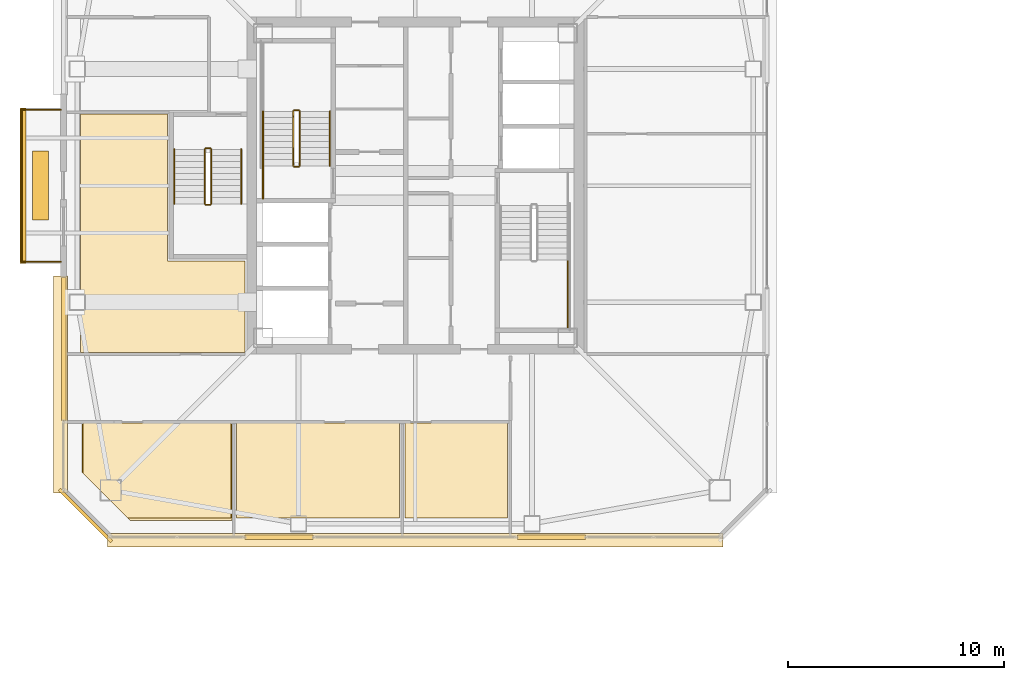
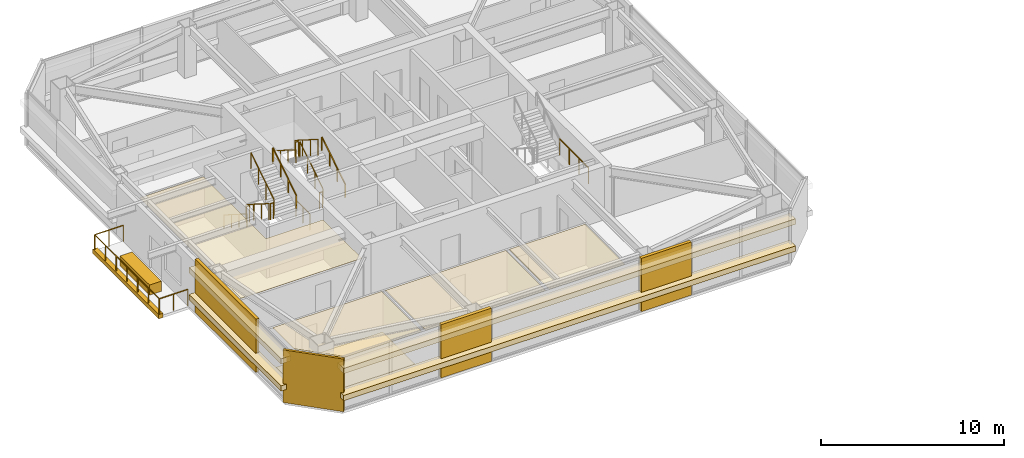
# One storey, part 34 of 39: 17 railings, 15 coverings.
"""IFC4 building model written with IfcOpenShell, lengths in metres."""

from ifc_helpers import new_model, si_unit, direction, frame, origin, origin_2d, place, context, subcontext, project, spatial, polyline, rectangle, outline, extrude, material, layer, layer_set, type_object, element, save


model = new_model("IFC4")

# Units and contexts
model_context = context("Model", 3, precision=1e-05, world=origin(), true_north=direction((0.0, 1.0)))
body_context = subcontext(model_context, "Body", "Model", "MODEL_VIEW")
ifc_project = project(units=[si_unit("LENGTHUNIT", "METRE"), si_unit("AREAUNIT", "SQUARE_METRE"), si_unit("VOLUMEUNIT", "CUBIC_METRE"), si_unit("PLANEANGLEUNIT", "RADIAN"), si_unit("MASSUNIT", "GRAM", prefix="KILO")], contexts=[model_context])

# Site, building, storey
site_placement = place(None, origin())
site = spatial("IfcSite", under=ifc_project, at=site_placement, CompositionType="ELEMENT")
building_placement = place(site_placement, origin())
building = spatial("IfcBuilding", under=site, at=building_placement, Name="Tashvorn Skyway Center", CompositionType="ELEMENT")
storey_placement = place(building_placement, frame((0.0, 0.0, 214.85009765625)))
storey = spatial("IfcBuildingStorey", under=building, at=storey_placement, Name="L58", CompositionType="ELEMENT", Elevation=214.85009765625)

# Coverings
ifc_material_1 = material(Name="Precast concrete C40/50", Category="concrete")
ifc_layer_1 = layer(ifc_material_1, 0.199951171875)
ifc_layer_set_1 = layer_set([ifc_layer_1], Name="Precast concrete C40/50")
covering_type_1 = type_object("IfcCoveringType", Name="COV-BRACE-CLAD", PredefinedType="CLADDING", material=ifc_layer_set_1)
for number, where, z_axis, x_axis, name in (
    (1, (48.30224609375, 15.719970703125, 0.0), (0.0, 0.0, 1.0), (-1.0, 0.0, 0.0), "Tower 1 L58 South Unitised Curtain Wall Mega-Brace Cladding Band 1"),
    (2, (35.69775390625, 15.719970703125, 0.0), (0.0, 0.0, 1.0), (-1.0, 0.0, 0.0), "Tower 1 L58 South Unitised Curtain Wall Mega-Brace Cladding Band 2"),
):
    element("IfcCovering", number, at=place(storey_placement, frame(where, z_axis=z_axis, x_axis=x_axis)), inside=storey, type_object=covering_type_1, Name=name, PredefinedType="CLADDING", context=body_context, shape_type="SweptSolid", body=[
        extrude(rectangle(XDim=3.151123046875, YDim=0.199951171875, at=origin_2d()), origin(), (0.0, 0.0, 1.0), 3.550048828125),
    ])
covering_1_placement = place(storey_placement, frame((25.719970703125, 24.43994140625, 0.0), z_axis=(0.0, 0.0, 1.0), x_axis=(0.0, 1.0, 0.0)))
element("IfcCovering", 3, at=covering_1_placement, inside=storey, type_object=covering_type_1, Name="Tower 1 L58 West Curtain Wall L Mega-Brace Cladding Band 1", PredefinedType="CLADDING", context=body_context, shape_type="SweptSolid", body=[
    extrude(rectangle(XDim=6.6201171875, YDim=0.199951171875, at=origin_2d()), origin(), (0.0, 0.0, 1.0), 3.550048828125),
])
ifc_material_2 = material(Name="Mineral-fibre acoustic ceiling tile on suspended grid")
ifc_layer_2 = layer(ifc_material_2, 0.02001953125)
ifc_layer_set_2 = layer_set([ifc_layer_2], Name="Mineral-fibre acoustic ceiling tile on suspended grid")
covering_type_2 = type_object("IfcCoveringType", Name="COV-CEIL-20", PredefinedType="CEILING", material=ifc_layer_set_2)
covering_2_placement = place(storey_placement, frame((0.0, 0.0, 2.702880859375)))
element("IfcCovering", 4, at=covering_2_placement, inside=storey, type_object=covering_type_2, Name="Tower 1 L58 Operations Control Room Acoustic Ceiling", PredefinedType="CEILING", context=body_context, shape_type="SweptSolid", body=[
    extrude(outline(polyline([(26.6201171875, 21.010009765625), (33.47998046875, 21.010009765625), (33.47998046875, 16.6201171875), (28.679931640625, 16.6201171875), (26.6201171875, 18.679931640625), (26.6201171875, 21.010009765625)])), origin(), (0.0, 0.0, 1.0), 0.02001953125),
])
covering_3_placement = place(storey_placement, frame((0.0, 0.0, 2.702880859375)))
element("IfcCovering", 5, at=covering_3_placement, inside=storey, type_object=covering_type_2, Name="Tower 1 L58 Corporate Office Acoustic Ceiling", PredefinedType="CEILING", context=body_context, shape_type="SweptSolid", body=[
    extrude(outline(polyline([(33.719970703125, 21.010009765625), (41.280029296875, 21.010009765625), (41.280029296875, 16.6201171875), (33.719970703125, 16.6201171875), (33.719970703125, 21.010009765625)])), origin(), (0.0, 0.0, 1.0), 0.02001953125),
])
covering_4_placement = place(storey_placement, frame((0.0, 0.0, 2.702880859375)))
element("IfcCovering", 6, at=covering_4_placement, inside=storey, type_object=covering_type_2, Name="Tower 1 L58 Corporate Office Acoustic Ceiling", PredefinedType="CEILING", context=body_context, shape_type="SweptSolid", body=[
    extrude(outline(polyline([(41.52001953125, 21.010009765625), (46.280029296875, 21.010009765625), (46.280029296875, 16.6201171875), (41.52001953125, 16.6201171875), (41.52001953125, 21.010009765625)])), origin(), (0.0, 0.0, 1.0), 0.02001953125),
])
covering_5_placement = place(storey_placement, frame((0.0, 0.0, 2.702880859375)))
element("IfcCovering", 7, at=covering_5_placement, inside=storey, type_object=covering_type_2, Name="Tower 1 L58 Public Restroom Acoustic Ceiling", PredefinedType="CEILING", context=body_context, shape_type="SweptSolid", body=[
    extrude(outline(polyline([(34.1201171875, 24.280029296875), (26.5, 24.280029296875), (26.5, 28.52001953125), (26.5, 35.320068359375), (30.52001953125, 35.320068359375), (30.52001953125, 28.52001953125), (34.1201171875, 28.52001953125), (34.1201171875, 24.280029296875)])), origin(), (0.0, 0.0, 1.0), 0.02001953125),
])
ifc_material_3 = material(Name="Polished Mojave desert-aggregate terrazzo and cover plate")
ifc_layer_3 = layer(ifc_material_3, 0.0400390625)
ifc_layer_set_3 = layer_set([ifc_layer_3], Name="Polished Mojave desert-aggregate terrazzo and cover plate")
covering_type_3 = type_object("IfcCoveringType", Name="COV-FLR-40", PredefinedType="FLOORING", material=ifc_layer_set_3)
covering_6_placement = place(storey_placement, origin())
element("IfcCovering", 8, at=covering_6_placement, inside=storey, type_object=covering_type_3, Name="Tower 1 L58 Operations Control Room Finish Flooring", PredefinedType="FLOORING", context=body_context, shape_type="SweptSolid", body=[
    extrude(outline(polyline([(28.800048828125, 16.5), (26.580078125, 18.719970703125), (26.580078125, 20.969970703125), (33.52001953125, 20.969970703125), (33.52001953125, 16.5), (28.800048828125, 16.5)])), origin(), (0.0, 0.0, 1.0), 0.039794921875),
])
ifc_material_4 = material(Name="Perforated ceramic-coated bronze aluminium solar screen", Category="aluminium")
ifc_layer_4 = layer(ifc_material_4, 0.85009765625)
ifc_layer_set_4 = layer_set([ifc_layer_4], Name="Perforated ceramic-coated bronze aluminium solar screen")
covering_type_4 = type_object("IfcCoveringType", Name="COV-SOLAR-BAND", PredefinedType="CLADDING", material=ifc_layer_set_4)
for number, where, z_axis, x_axis, name in (
    (9, (42.0, 15.580078125, 0.919921875), (0.0, 0.0, 1.0), (-1.0, 0.0, 0.0), "L58 Perforated Ceramic-Metal Solar Screen Louvre Band South 1"),
    (10, (42.0, 15.580078125, 2.7197265625), (0.0, 0.0, 1.0), (-1.0, 0.0, 0.0), "L58 Perforated Ceramic-Metal Solar Screen Louvre Band South 2"),
):
    element("IfcCovering", number, at=place(storey_placement, frame(where, z_axis=z_axis, x_axis=x_axis)), inside=storey, type_object=covering_type_4, Name=name, PredefinedType="CLADDING", context=body_context, shape_type="SweptSolid", body=[
        extrude(rectangle(XDim=28.47998046875, YDim=0.639892578125, at=origin_2d()), origin(), (0.0, 0.0, 1.0), 0.360107421875),
    ])
for number, where, z_axis, x_axis, name in (
    (11, (25.580078125, 22.784912109375, 0.919921875), (0.0, 0.0, 1.0), (0.0, 1.0, 0.0), "L58 Perforated Ceramic-Metal Solar Screen Louvre Band West 1"),
    (12, (25.580078125, 22.784912109375, 2.7197265625), (0.0, 0.0, 1.0), (0.0, 1.0, 0.0), "L58 Perforated Ceramic-Metal Solar Screen Louvre Band West 2"),
):
    element("IfcCovering", number, at=place(storey_placement, frame(where, z_axis=z_axis, x_axis=x_axis)), inside=storey, type_object=covering_type_4, Name=name, PredefinedType="CLADDING", context=body_context, shape_type="SweptSolid", body=[
        extrude(rectangle(XDim=10.050048828125, YDim=0.639892578125, at=origin_2d()), origin(), (0.0, 0.0, 1.0), 0.360107421875),
    ])
ifc_layer_5 = layer(ifc_material_1, 0.35009765625)
ifc_layer_set_5 = layer_set([ifc_layer_5], Name="Precast concrete C40/50")
covering_type_5 = type_object("IfcCoveringType", Name="COV-STONE-TRIM", PredefinedType="CLADDING", material=ifc_layer_set_5)
covering_7_placement = place(storey_placement, frame((23.840087890625, 32.0, -0.16015625), z_axis=(0.0, 0.0, 1.0), x_axis=(0.0, 1.0, 0.0)))
element("IfcCovering", 13, at=covering_7_placement, inside=storey, type_object=covering_type_5, Name="Tower 1 L58 Spiral Terrace Terracotta Fascia", PredefinedType="CLADDING", context=body_context, shape_type="SweptSolid", body=[
    extrude(rectangle(XDim=7.199951171875, YDim=0.280029296875, at=origin_2d()), origin(), (0.0, 0.0, 1.0), 0.280029296875),
])
covering_8_placement = place(storey_placement, frame((24.64990234375, 32.0, 0.0), z_axis=(0.0, 0.0, 1.0), x_axis=(0.0, 1.0, 0.0)))
element("IfcCovering", 14, at=covering_8_placement, inside=storey, type_object=covering_type_5, Name="Tower 1 L58 Spiral Terrace Planter", PredefinedType="CLADDING", context=body_context, shape_type="SweptSolid", body=[
    extrude(rectangle(XDim=3.199951171875, YDim=0.75, at=origin_2d()), origin(), (0.0, 0.0, 1.0), 0.679931640625),
])
covering_9_placement = place(storey_placement, frame((26.72998046875, 16.72998046875, 0.02001953125), z_axis=(0.0, 0.0, 1.0), x_axis=(-0.707106781187, 0.707106781187, 0.0)))
element("IfcCovering", 15, at=covering_9_placement, inside=storey, type_object=covering_type_5, Name="Tower 1 L58 SW Mojave Limestone Corner Quoin", PredefinedType="CLADDING", context=body_context, shape_type="SweptSolid", body=[
    extrude(rectangle(XDim=3.41259765625, YDim=0.139892578125, at=origin_2d()), origin(), (0.0, 0.0, 1.0), 3.510009765625),
])

# Railings
ifc_material_5 = material(Name="Galvanized steel S355", Category="steel")
railing_type_1 = type_object("IfcRailingType", Name="RAIL-GUARD-1120", PredefinedType="GUARDRAIL", material=ifc_material_5)
railing_1_placement = place(storey_placement, frame((25.60009765625, 28.47998046875, 0.0)))
element("IfcRailing", 16, at=railing_1_placement, inside=storey, type_object=railing_type_1, Name="L58 Tower 1 Terrace Guardrail 01", PredefinedType="GUARDRAIL", context=body_context, shape_type="SweptSolid", body=[
    extrude(rectangle(XDim=0.048095703125, YDim=0.048095703125, at=origin_2d()), frame((0.0, 0.0, 1.09619140625), z_axis=(-1.0, 0.0, 0.0), x_axis=(0.0, -1.0, 0.0)), (0.0, 0.0, 1.0), 1.820068359375),
    extrude(rectangle(XDim=0.0419921875, YDim=0.0419921875, at=origin_2d()), origin(), (0.0, 0.0, 1.0), 1.072021484375),
    extrude(rectangle(XDim=0.0419921875, YDim=0.0419921875, at=origin_2d()), frame((-0.91015625, 0.0, 0.0)), (0.0, 0.0, 1.0), 1.072021484375),
    extrude(rectangle(XDim=0.0419921875, YDim=0.0419921875, at=origin_2d()), frame((-1.820068359375, 0.0, 0.0)), (0.0, 0.0, 1.0), 1.072021484375),
])
railing_2_placement = place(storey_placement, frame((23.780029296875, 28.47998046875, 0.0)))
element("IfcRailing", 17, at=railing_2_placement, inside=storey, type_object=railing_type_1, Name="L58 Tower 1 Terrace Guardrail 02", PredefinedType="GUARDRAIL", context=body_context, shape_type="SweptSolid", body=[
    extrude(rectangle(XDim=0.048095703125, YDim=0.048095703125, at=origin_2d()), frame((0.0, 0.0, 1.09619140625), z_axis=(0.0, 1.0, 0.0), x_axis=(-1.0, 0.0, 0.0)), (0.0, 0.0, 1.0), 7.0400390625),
    extrude(rectangle(XDim=0.0419921875, YDim=0.0419921875, at=origin_2d()), origin(), (0.0, 0.0, 1.0), 1.072021484375),
    extrude(rectangle(XDim=0.0419921875, YDim=0.0419921875, at=origin_2d()), frame((0.0, 1.17333984375, 0.0)), (0.0, 0.0, 1.0), 1.072021484375),
    extrude(rectangle(XDim=0.0419921875, YDim=0.0419921875, at=origin_2d()), frame((0.0, 2.3466796875, 0.0)), (0.0, 0.0, 1.0), 1.072021484375),
    extrude(rectangle(XDim=0.0419921875, YDim=0.0419921875, at=origin_2d()), frame((0.0, 3.52001953125, 0.0)), (0.0, 0.0, 1.0), 1.072021484375),
    extrude(rectangle(XDim=0.0419921875, YDim=0.0419921875, at=origin_2d()), frame((0.0, 4.693359375, 0.0)), (0.0, 0.0, 1.0), 1.072021484375),
    extrude(rectangle(XDim=0.0419921875, YDim=0.0419921875, at=origin_2d()), frame((0.0, 5.86669921875, 0.0)), (0.0, 0.0, 1.0), 1.072021484375),
    extrude(rectangle(XDim=0.0419921875, YDim=0.0419921875, at=origin_2d()), frame((0.0, 7.0400390625, 0.0)), (0.0, 0.0, 1.0), 1.072021484375),
])
railing_3_placement = place(storey_placement, frame((23.780029296875, 35.52001953125, 0.0)))
element("IfcRailing", 18, at=railing_3_placement, inside=storey, type_object=railing_type_1, Name="L58 Tower 1 Terrace Guardrail 03", PredefinedType="GUARDRAIL", context=body_context, shape_type="SweptSolid", body=[
    extrude(rectangle(XDim=0.048095703125, YDim=0.048095703125, at=origin_2d()), frame((0.0, 0.0, 1.09619140625), z_axis=(1.0, 0.0, 0.0), x_axis=(0.0, 1.0, 0.0)), (0.0, 0.0, 1.0), 1.820068359375),
    extrude(rectangle(XDim=0.0419921875, YDim=0.0419921875, at=origin_2d()), origin(), (0.0, 0.0, 1.0), 1.072021484375),
    extrude(rectangle(XDim=0.0419921875, YDim=0.0419921875, at=origin_2d()), frame((0.91015625, 0.0, 0.0)), (0.0, 0.0, 1.0), 1.072021484375),
    extrude(rectangle(XDim=0.0419921875, YDim=0.0419921875, at=origin_2d()), frame((1.820068359375, 0.0, 0.0)), (0.0, 0.0, 1.0), 1.072021484375),
])
ifc_material_6 = material(Name="Brushed stainless steel 316", Category="steel")
railing_type_2 = type_object("IfcRailingType", Name="RAIL-HAND-920", PredefinedType="HANDRAIL", material=ifc_material_6)
railing_4_placement = place(storey_placement, frame((38.050048828125, 32.919921875, 0.177490234375)))
element("IfcRailing", 19, at=railing_4_placement, inside=storey, type_object=railing_type_2, Name="L58 ST-T1-1 stair handrail 1", PredefinedType="HANDRAIL", context=body_context, shape_type="SweptSolid", body=[
    extrude(rectangle(XDim=0.048095703125, YDim=0.048095703125, at=origin_2d()), frame((0.0, 0.0, 0.8759765625), z_axis=(0.0, 0.84460694969, 0.535386869969), x_axis=(-1.0, 0.0, 0.0)), (0.0, 0.0, 1.0), 2.983642578125),
    extrude(rectangle(XDim=0.0419921875, YDim=0.0419921875, at=origin_2d()), origin(), (0.0, 0.0, 1.0), 0.851806640625),
    extrude(rectangle(XDim=0.0419921875, YDim=0.0419921875, at=origin_2d()), frame((0.0, 0.840087890625, 0.532470703125)), (0.0, 0.0, 1.0), 0.851806640625),
    extrude(rectangle(XDim=0.0419921875, YDim=0.0419921875, at=origin_2d()), frame((0.0, 1.679931640625, 1.06494140625)), (0.0, 0.0, 1.0), 0.851806640625),
    extrude(rectangle(XDim=0.0419921875, YDim=0.0419921875, at=origin_2d()), frame((0.0, 2.52001953125, 1.597412109375)), (0.0, 0.0, 1.0), 0.851806640625),
])
for number, where, name in (
    (20, (34.949951171875, 35.43994140625, 1.952392578125), "L58 ST-T1-1 stair handrail 2"),
    (21, (30.85009765625, 33.679931640625, 0.177490234375), "L58 ST-T1-3 stair handrail 1"),
):
    element("IfcRailing", number, at=place(storey_placement, frame(where)), inside=storey, type_object=railing_type_2, Name=name, PredefinedType="HANDRAIL", context=body_context, shape_type="SweptSolid", body=[
        extrude(rectangle(XDim=0.048095703125, YDim=0.048095703125, at=origin_2d()), frame((0.0, 0.0, 0.8759765625), z_axis=(0.0, -0.84460694969, 0.535386869969), x_axis=(1.0, 0.0, 0.0)), (0.0, 0.0, 1.0), 2.983642578125),
        extrude(rectangle(XDim=0.0419921875, YDim=0.0419921875, at=origin_2d()), origin(), (0.0, 0.0, 1.0), 0.851806640625),
        extrude(rectangle(XDim=0.0419921875, YDim=0.0419921875, at=origin_2d()), frame((0.0, -0.840087890625, 0.532470703125)), (0.0, 0.0, 1.0), 0.851806640625),
        extrude(rectangle(XDim=0.0419921875, YDim=0.0419921875, at=origin_2d()), frame((0.0, -1.679931640625, 1.06494140625)), (0.0, 0.0, 1.0), 0.851806640625),
        extrude(rectangle(XDim=0.0419921875, YDim=0.0419921875, at=origin_2d()), frame((0.0, -2.52001953125, 1.597412109375)), (0.0, 0.0, 1.0), 0.851806640625),
    ])
railing_5_placement = place(storey_placement, frame((33.949951171875, 31.159912109375, 1.952392578125)))
element("IfcRailing", 22, at=railing_5_placement, inside=storey, type_object=railing_type_2, Name="L58 ST-T1-3 stair handrail 2", PredefinedType="HANDRAIL", context=body_context, shape_type="SweptSolid", body=[
    extrude(rectangle(XDim=0.048095703125, YDim=0.048095703125, at=origin_2d()), frame((0.0, 0.0, 0.8759765625), z_axis=(0.0, 0.84460694969, 0.535386869969), x_axis=(-1.0, 0.0, 0.0)), (0.0, 0.0, 1.0), 2.983642578125),
    extrude(rectangle(XDim=0.0419921875, YDim=0.0419921875, at=origin_2d()), origin(), (0.0, 0.0, 1.0), 0.851806640625),
    extrude(rectangle(XDim=0.0419921875, YDim=0.0419921875, at=origin_2d()), frame((0.0, 0.840087890625, 0.532470703125)), (0.0, 0.0, 1.0), 0.851806640625),
    extrude(rectangle(XDim=0.0419921875, YDim=0.0419921875, at=origin_2d()), frame((0.0, 1.679931640625, 1.06494140625)), (0.0, 0.0, 1.0), 0.851806640625),
    extrude(rectangle(XDim=0.0419921875, YDim=0.0419921875, at=origin_2d()), frame((0.0, 2.52001953125, 1.597412109375)), (0.0, 0.0, 1.0), 0.851806640625),
])
ifc_material_7 = material(Name="Painted galvanized steel S355", Category="steel")
railing_type_3 = type_object("IfcRailingType", Name="RAIL-STGUARD-1100", PredefinedType="GUARDRAIL", material=ifc_material_7)
railing_6_placement = place(storey_placement, frame((36.64990234375, 32.919921875, 0.177490234375)))
element("IfcRailing", 23, at=railing_6_placement, inside=storey, type_object=railing_type_3, Name="L58 ST-T1-1 stair guard 1", PredefinedType="GUARDRAIL", context=body_context, shape_type="SweptSolid", body=[
    extrude(rectangle(XDim=0.048095703125, YDim=0.048095703125, at=origin_2d()), frame((0.0, 0.0, 1.076171875), z_axis=(0.0, 0.84460694969, 0.535386869969), x_axis=(-1.0, 0.0, 0.0)), (0.0, 0.0, 1.0), 2.983642578125),
    extrude(rectangle(XDim=0.0419921875, YDim=0.0419921875, at=origin_2d()), origin(), (0.0, 0.0, 1.0), 1.052001953125),
    extrude(rectangle(XDim=0.0419921875, YDim=0.0419921875, at=origin_2d()), frame((0.0, 0.840087890625, 0.532470703125)), (0.0, 0.0, 1.0), 1.052001953125),
    extrude(rectangle(XDim=0.0419921875, YDim=0.0419921875, at=origin_2d()), frame((0.0, 1.679931640625, 1.06494140625)), (0.0, 0.0, 1.0), 1.052001953125),
    extrude(rectangle(XDim=0.0419921875, YDim=0.0419921875, at=origin_2d()), frame((0.0, 2.52001953125, 1.597412109375)), (0.0, 0.0, 1.0), 1.052001953125),
])
railing_7_placement = place(storey_placement, frame((36.60009765625, 35.489990234375, 1.77490234375)))
element("IfcRailing", 24, at=railing_7_placement, inside=storey, type_object=railing_type_3, Name="L58 ST-T1-1 stair guard 2", PredefinedType="GUARDRAIL", context=body_context, shape_type="SweptSolid", body=[
    extrude(rectangle(XDim=0.048095703125, YDim=0.048095703125, at=origin_2d()), frame((0.0, 0.0, 1.076171875), z_axis=(-1.0, 0.0, 0.0), x_axis=(0.0, -1.0, 0.0)), (0.0, 0.0, 1.0), 0.2001953125),
    extrude(rectangle(XDim=0.0419921875, YDim=0.0419921875, at=origin_2d()), origin(), (0.0, 0.0, 1.0), 1.052001953125),
    extrude(rectangle(XDim=0.0419921875, YDim=0.0419921875, at=origin_2d()), frame((-0.2001953125, 0.0, 0.0)), (0.0, 0.0, 1.0), 1.052001953125),
])
railing_8_placement = place(storey_placement, frame((36.35009765625, 35.43994140625, 1.952392578125)))
element("IfcRailing", 25, at=railing_8_placement, inside=storey, type_object=railing_type_3, Name="L58 ST-T1-1 stair guard 4", PredefinedType="GUARDRAIL", context=body_context, shape_type="SweptSolid", body=[
    extrude(rectangle(XDim=0.048095703125, YDim=0.048095703125, at=origin_2d()), frame((0.0, 0.0, 1.076171875), z_axis=(0.0, -0.84460694969, 0.535386869969), x_axis=(1.0, 0.0, 0.0)), (0.0, 0.0, 1.0), 2.983642578125),
    extrude(rectangle(XDim=0.0419921875, YDim=0.0419921875, at=origin_2d()), origin(), (0.0, 0.0, 1.0), 1.052001953125),
    extrude(rectangle(XDim=0.0419921875, YDim=0.0419921875, at=origin_2d()), frame((0.0, -0.840087890625, 0.532470703125)), (0.0, 0.0, 1.0), 1.052001953125),
    extrude(rectangle(XDim=0.0419921875, YDim=0.0419921875, at=origin_2d()), frame((0.0, -1.679931640625, 1.06494140625)), (0.0, 0.0, 1.0), 1.052001953125),
    extrude(rectangle(XDim=0.0419921875, YDim=0.0419921875, at=origin_2d()), frame((0.0, -2.52001953125, 1.597412109375)), (0.0, 0.0, 1.0), 1.052001953125),
])
railing_9_placement = place(storey_placement, frame((36.60009765625, 32.8701171875, 0.0)))
element("IfcRailing", 26, at=railing_9_placement, inside=storey, type_object=railing_type_3, Name="L58 ST-T1-1 stair guard 5", PredefinedType="GUARDRAIL", context=body_context, shape_type="SweptSolid", body=[
    extrude(rectangle(XDim=0.048095703125, YDim=0.048095703125, at=origin_2d()), frame((0.0, 0.0, 1.076171875), z_axis=(-1.0, 0.0, 0.0), x_axis=(0.0, -1.0, 0.0)), (0.0, 0.0, 1.0), 0.2001953125),
    extrude(rectangle(XDim=0.0419921875, YDim=0.0419921875, at=origin_2d()), origin(), (0.0, 0.0, 1.0), 1.052001953125),
    extrude(rectangle(XDim=0.0419921875, YDim=0.0419921875, at=origin_2d()), frame((-0.2001953125, 0.0, 0.0)), (0.0, 0.0, 1.0), 1.052001953125),
])
railing_10_placement = place(storey_placement, frame((34.949951171875, 31.39990234375, 0.0)))
element("IfcRailing", 27, at=railing_10_placement, inside=storey, type_object=railing_type_3, Name="L58 ST-T1-1 stair guard 6", PredefinedType="GUARDRAIL", context=body_context, shape_type="SweptSolid", body=[
    extrude(rectangle(XDim=0.048095703125, YDim=0.048095703125, at=origin_2d()), frame((0.0, 0.0, 1.076171875), z_axis=(0.0, 1.0, 0.0), x_axis=(-1.0, 0.0, 0.0)), (0.0, 0.0, 1.0), 1.52001953125),
    extrude(rectangle(XDim=0.0419921875, YDim=0.0419921875, at=origin_2d()), origin(), (0.0, 0.0, 1.0), 1.052001953125),
    extrude(rectangle(XDim=0.0419921875, YDim=0.0419921875, at=origin_2d()), frame((0.0, 0.760009765625, 0.0)), (0.0, 0.0, 1.0), 1.052001953125),
    extrude(rectangle(XDim=0.0419921875, YDim=0.0419921875, at=origin_2d()), frame((0.0, 1.52001953125, 0.0)), (0.0, 0.0, 1.0), 1.052001953125),
])
railing_11_placement = place(storey_placement, frame((49.050048828125, 28.56005859375, 1.77490234375)))
element("IfcRailing", 28, at=railing_11_placement, inside=storey, type_object=railing_type_3, Name="L58 ST-T1-2 stair guard 3", PredefinedType="GUARDRAIL", context=body_context, shape_type="SweptSolid", body=[
    extrude(rectangle(XDim=0.048095703125, YDim=0.048095703125, at=origin_2d()), frame((0.0, 0.0, 1.076171875), z_axis=(0.0, -1.0, 0.0), x_axis=(1.0, 0.0, 0.0)), (0.0, 0.0, 1.0), 3.16015625),
    extrude(rectangle(XDim=0.0419921875, YDim=0.0419921875, at=origin_2d()), origin(), (0.0, 0.0, 1.0), 1.052001953125),
    extrude(rectangle(XDim=0.0419921875, YDim=0.0419921875, at=origin_2d()), frame((0.0, -1.053466796875, 0.0)), (0.0, 0.0, 1.0), 1.052001953125),
    extrude(rectangle(XDim=0.0419921875, YDim=0.0419921875, at=origin_2d()), frame((0.0, -2.106689453125, 0.0)), (0.0, 0.0, 1.0), 1.052001953125),
    extrude(rectangle(XDim=0.0419921875, YDim=0.0419921875, at=origin_2d()), frame((0.0, -3.16015625, 0.0)), (0.0, 0.0, 1.0), 1.052001953125),
])
railing_12_placement = place(storey_placement, frame((32.25, 33.679931640625, 0.177490234375)))
element("IfcRailing", 29, at=railing_12_placement, inside=storey, type_object=railing_type_3, Name="L58 ST-T1-3 stair guard 1", PredefinedType="GUARDRAIL", context=body_context, shape_type="SweptSolid", body=[
    extrude(rectangle(XDim=0.048095703125, YDim=0.048095703125, at=origin_2d()), frame((0.0, 0.0, 1.076171875), z_axis=(0.0, -0.84460694969, 0.535386869969), x_axis=(1.0, 0.0, 0.0)), (0.0, 0.0, 1.0), 2.983642578125),
    extrude(rectangle(XDim=0.0419921875, YDim=0.0419921875, at=origin_2d()), origin(), (0.0, 0.0, 1.0), 1.052001953125),
    extrude(rectangle(XDim=0.0419921875, YDim=0.0419921875, at=origin_2d()), frame((0.0, -0.840087890625, 0.532470703125)), (0.0, 0.0, 1.0), 1.052001953125),
    extrude(rectangle(XDim=0.0419921875, YDim=0.0419921875, at=origin_2d()), frame((0.0, -1.679931640625, 1.06494140625)), (0.0, 0.0, 1.0), 1.052001953125),
    extrude(rectangle(XDim=0.0419921875, YDim=0.0419921875, at=origin_2d()), frame((0.0, -2.52001953125, 1.597412109375)), (0.0, 0.0, 1.0), 1.052001953125),
])
railing_13_placement = place(storey_placement, frame((32.300048828125, 31.110107421875, 1.77490234375)))
element("IfcRailing", 30, at=railing_13_placement, inside=storey, type_object=railing_type_3, Name="L58 ST-T1-3 stair guard 2", PredefinedType="GUARDRAIL", context=body_context, shape_type="SweptSolid", body=[
    extrude(rectangle(XDim=0.048095703125, YDim=0.048095703125, at=origin_2d()), frame((0.0, 0.0, 1.076171875), z_axis=(1.0, 0.0, 0.0), x_axis=(0.0, 1.0, 0.0)), (0.0, 0.0, 1.0), 0.199951171875),
    extrude(rectangle(XDim=0.0419921875, YDim=0.0419921875, at=origin_2d()), origin(), (0.0, 0.0, 1.0), 1.052001953125),
    extrude(rectangle(XDim=0.0419921875, YDim=0.0419921875, at=origin_2d()), frame((0.199951171875, 0.0, 0.0)), (0.0, 0.0, 1.0), 1.052001953125),
])
railing_14_placement = place(storey_placement, frame((32.550048828125, 31.159912109375, 1.952392578125)))
element("IfcRailing", 31, at=railing_14_placement, inside=storey, type_object=railing_type_3, Name="L58 ST-T1-3 stair guard 3", PredefinedType="GUARDRAIL", context=body_context, shape_type="SweptSolid", body=[
    extrude(rectangle(XDim=0.048095703125, YDim=0.048095703125, at=origin_2d()), frame((0.0, 0.0, 1.076171875), z_axis=(0.0, 0.84460694969, 0.535386869969), x_axis=(-1.0, 0.0, 0.0)), (0.0, 0.0, 1.0), 2.983642578125),
    extrude(rectangle(XDim=0.0419921875, YDim=0.0419921875, at=origin_2d()), origin(), (0.0, 0.0, 1.0), 1.052001953125),
    extrude(rectangle(XDim=0.0419921875, YDim=0.0419921875, at=origin_2d()), frame((0.0, 0.840087890625, 0.532470703125)), (0.0, 0.0, 1.0), 1.052001953125),
    extrude(rectangle(XDim=0.0419921875, YDim=0.0419921875, at=origin_2d()), frame((0.0, 1.679931640625, 1.06494140625)), (0.0, 0.0, 1.0), 1.052001953125),
    extrude(rectangle(XDim=0.0419921875, YDim=0.0419921875, at=origin_2d()), frame((0.0, 2.52001953125, 1.597412109375)), (0.0, 0.0, 1.0), 1.052001953125),
])
railing_15_placement = place(storey_placement, frame((32.300048828125, 33.72998046875, 0.0)))
element("IfcRailing", 32, at=railing_15_placement, inside=storey, type_object=railing_type_3, Name="L58 ST-T1-3 stair guard 4", PredefinedType="GUARDRAIL", context=body_context, shape_type="SweptSolid", body=[
    extrude(rectangle(XDim=0.048095703125, YDim=0.048095703125, at=origin_2d()), frame((0.0, 0.0, 1.076171875), z_axis=(1.0, 0.0, 0.0), x_axis=(0.0, 1.0, 0.0)), (0.0, 0.0, 1.0), 0.199951171875),
    extrude(rectangle(XDim=0.0419921875, YDim=0.0419921875, at=origin_2d()), origin(), (0.0, 0.0, 1.0), 1.052001953125),
    extrude(rectangle(XDim=0.0419921875, YDim=0.0419921875, at=origin_2d()), frame((0.199951171875, 0.0, 0.0)), (0.0, 0.0, 1.0), 1.052001953125),
])

save(model, "model.ifc")
